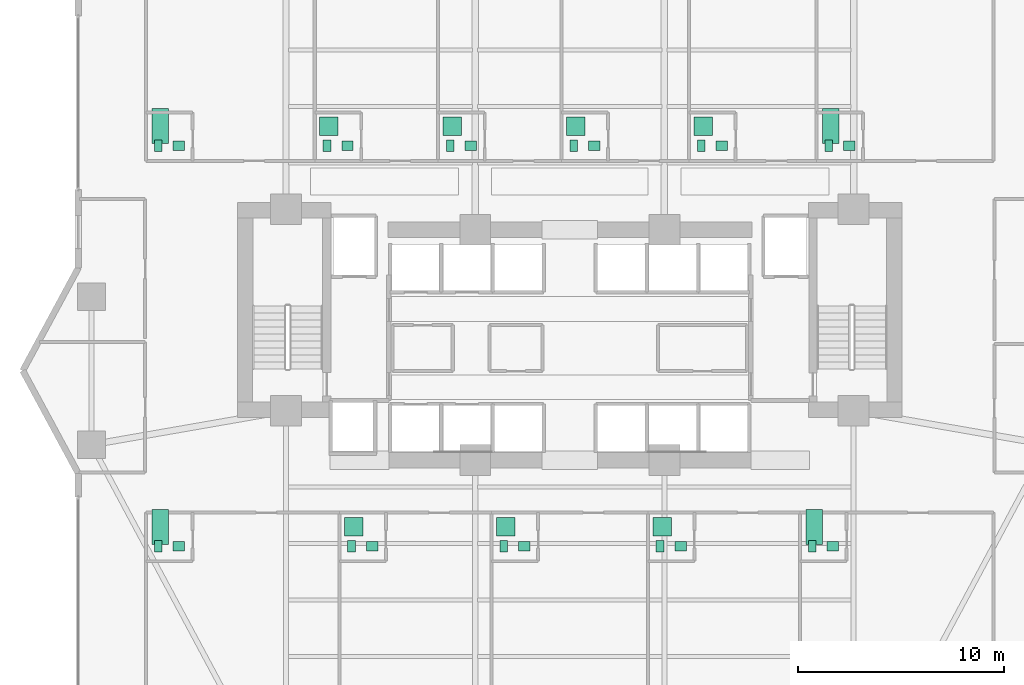
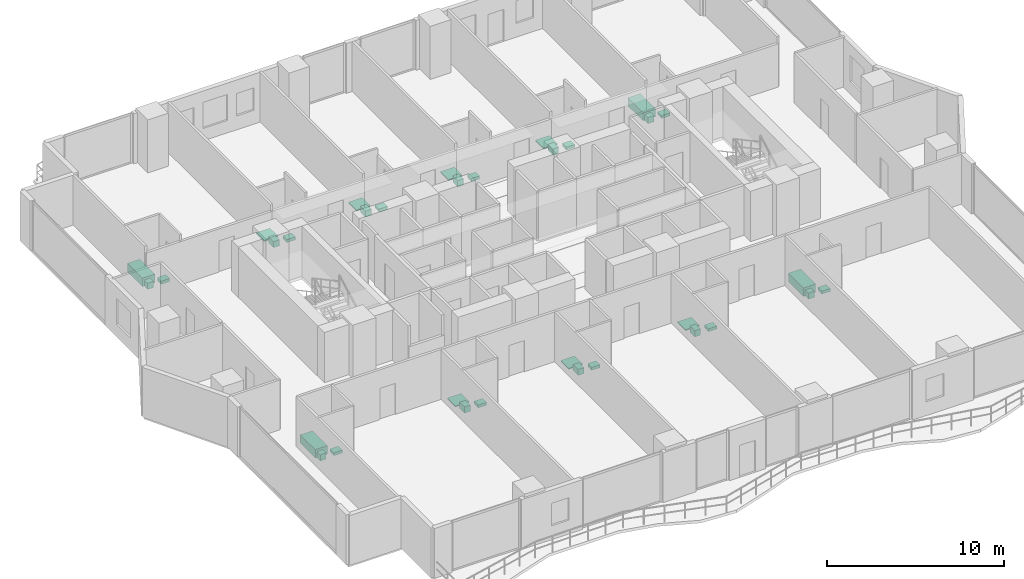
# One storey, part 27 of 27: 33 sanitary terminals.
"""IFC4 building model written with IfcOpenShell, lengths in metres."""

from ifc_helpers import new_model, si_unit, direction, frame, origin, origin_2d, place, context, subcontext, project, spatial, rectangle, extrude, material, type_object, element, save


model = new_model("IFC4")

# Units and contexts
model_context = context("Model", 3, precision=1e-05, world=origin(), true_north=direction((0.0, 1.0)))
body_context = subcontext(model_context, "Body", "Model", "MODEL_VIEW")
ifc_project = project(units=[si_unit("LENGTHUNIT", "METRE"), si_unit("AREAUNIT", "SQUARE_METRE"), si_unit("VOLUMEUNIT", "CUBIC_METRE"), si_unit("PLANEANGLEUNIT", "RADIAN"), si_unit("MASSUNIT", "GRAM", prefix="KILO")], contexts=[model_context])

# Site, building, storey
site_placement = place(None, origin())
site = spatial("IfcSite", under=ifc_project, at=site_placement, CompositionType="ELEMENT")
building_placement = place(site_placement, origin())
building = spatial("IfcBuilding", under=site, at=building_placement, Name="Zuhayl Quay Hotel", CompositionType="ELEMENT")
storey_placement = place(building_placement, frame((0.0, 0.0, 102.949951171875)))
storey = spatial("IfcBuildingStorey", under=building, at=storey_placement, Name="L25", CompositionType="ELEMENT", Elevation=102.949951171875)

# Sanitary terminals
ifc_material = material(Name="Vitreous Porcelain Sanitaryware")
sanitary_terminal_type_1 = type_object("IfcSanitaryTerminalType", Name="SAN_BASIN", PredefinedType="WASHHANDBASIN", material=ifc_material)
for number, where, z_axis, x_axis, name in (
    (1, (-19.010009765625, 17.43994140625, 0.0), (0.0, 0.0, 1.0), (1.0, 0.0, 0.0), "L25 Sanitary Fixture WASHHANDBASIN"),
    (2, (-10.81005859375, 17.43994140625, 0.0), (0.0, 0.0, 1.0), (1.0, 0.0, 0.0), "L25 Sanitary Fixture WASHHANDBASIN"),
    (3, (-4.81005859375, 17.43994140625, 0.0), (0.0, 0.0, 1.0), (1.0, 0.0, 0.0), "L25 Sanitary Fixture WASHHANDBASIN"),
    (4, (1.18994140625, 17.43994140625, 0.0), (0.0, 0.0, 1.0), (1.0, 0.0, 0.0), "L25 Sanitary Fixture WASHHANDBASIN"),
    (5, (7.389892578125, 17.43994140625, 0.0), (0.0, 0.0, 1.0), (1.0, 0.0, 0.0), "L25 Sanitary Fixture WASHHANDBASIN"),
    (6, (13.590087890625, 17.43994140625, 0.0), (0.0, 0.0, 1.0), (1.0, 0.0, 0.0), "L25 Sanitary Fixture WASHHANDBASIN"),
    (7, (-19.010009765625, -2.0400390625, 0.0), (0.0, 0.0, 1.0), (1.0, 0.0, 0.0), "L25 Sanitary Fixture WASHHANDBASIN"),
    (8, (-9.610107421875, -2.0400390625, 0.0), (0.0, 0.0, 1.0), (1.0, 0.0, 0.0), "L25 Sanitary Fixture WASHHANDBASIN"),
    (9, (-2.2099609375, -2.0400390625, 0.0), (0.0, 0.0, 1.0), (1.0, 0.0, 0.0), "L25 Sanitary Fixture WASHHANDBASIN"),
    (10, (5.389892578125, -2.0400390625, 0.0), (0.0, 0.0, 1.0), (1.0, 0.0, 0.0), "L25 Sanitary Fixture WASHHANDBASIN"),
    (11, (12.7900390625, -2.0400390625, 0.0), (0.0, 0.0, 1.0), (1.0, 0.0, 0.0), "L25 Sanitary Fixture WASHHANDBASIN"),
):
    element("IfcSanitaryTerminal", number, at=place(storey_placement, frame(where, z_axis=z_axis, x_axis=x_axis)), inside=storey, type_object=sanitary_terminal_type_1, Name=name, PredefinedType="WASHHANDBASIN", context=body_context, shape_type="SweptSolid", body=[
        extrude(rectangle(XDim=0.550048828125, YDim=0.449951171875, at=origin_2d()), origin(), (0.0, 0.0, 1.0), 0.199951171875),
    ])
sanitary_terminal_type_2 = type_object("IfcSanitaryTerminalType", Name="SAN_BATH", PredefinedType="BATH", material=ifc_material)
for number, where, z_axis, x_axis, name in (
    (12, (-19.909912109375, 18.389892578125, 0.0), (0.0, 0.0, 1.0), (1.0, 0.0, 0.0), "L25 Sanitary Fixture BATH"),
    (13, (12.68994140625, 18.389892578125, 0.0), (0.0, 0.0, 1.0), (1.0, 0.0, 0.0), "L25 Sanitary Fixture BATH"),
    (14, (-19.909912109375, -1.090087890625, 0.0), (0.0, 0.0, 1.0), (1.0, 0.0, 0.0), "L25 Sanitary Fixture BATH"),
    (15, (11.889892578125, -1.090087890625, 0.0), (0.0, 0.0, 1.0), (1.0, 0.0, 0.0), "L25 Sanitary Fixture BATH"),
):
    element("IfcSanitaryTerminal", number, at=place(storey_placement, frame(where, z_axis=z_axis, x_axis=x_axis)), inside=storey, type_object=sanitary_terminal_type_2, Name=name, PredefinedType="BATH", context=body_context, shape_type="SweptSolid", body=[
        extrude(rectangle(XDim=0.800048828125, YDim=1.699951171875, at=origin_2d()), origin(), (0.0, 0.0, 1.0), 0.580078125),
    ])
sanitary_terminal_type_3 = type_object("IfcSanitaryTerminalType", Name="SAN_SHOWER", PredefinedType="SHOWER", material=ifc_material)
for number, where, z_axis, x_axis, name in (
    (16, (-11.7099609375, 18.389892578125, 0.0), (0.0, 0.0, 1.0), (1.0, 0.0, 0.0), "L25 Sanitary Fixture SHOWER"),
    (17, (-5.7099609375, 18.389892578125, 0.0), (0.0, 0.0, 1.0), (1.0, 0.0, 0.0), "L25 Sanitary Fixture SHOWER"),
    (18, (0.2900390625, 18.389892578125, 0.0), (0.0, 0.0, 1.0), (1.0, 0.0, 0.0), "L25 Sanitary Fixture SHOWER"),
    (19, (6.489990234375, 18.389892578125, 0.0), (0.0, 0.0, 1.0), (1.0, 0.0, 0.0), "L25 Sanitary Fixture SHOWER"),
    (20, (-10.510009765625, -1.090087890625, 0.0), (0.0, 0.0, 1.0), (1.0, 0.0, 0.0), "L25 Sanitary Fixture SHOWER"),
    (21, (-3.110107421875, -1.090087890625, 0.0), (0.0, 0.0, 1.0), (1.0, 0.0, 0.0), "L25 Sanitary Fixture SHOWER"),
    (22, (4.489990234375, -1.090087890625, 0.0), (0.0, 0.0, 1.0), (1.0, 0.0, 0.0), "L25 Sanitary Fixture SHOWER"),
):
    element("IfcSanitaryTerminal", number, at=place(storey_placement, frame(where, z_axis=z_axis, x_axis=x_axis)), inside=storey, type_object=sanitary_terminal_type_3, Name=name, PredefinedType="SHOWER", context=body_context, shape_type="SweptSolid", body=[
        extrude(rectangle(XDim=0.89990234375, YDim=0.89990234375, at=origin_2d()), origin(), (0.0, 0.0, 1.0), 0.080078125),
    ])
sanitary_terminal_type_4 = type_object("IfcSanitaryTerminalType", Name="SAN_WC", PredefinedType="TOILETPAN", material=ifc_material)
for number, where, z_axis, x_axis, name in (
    (23, (-20.010009765625, 17.43994140625, 0.0), (0.0, 0.0, 1.0), (1.0, 0.0, 0.0), "L25 Sanitary Fixture TOILETPAN"),
    (24, (-11.81005859375, 17.43994140625, 0.0), (0.0, 0.0, 1.0), (1.0, 0.0, 0.0), "L25 Sanitary Fixture TOILETPAN"),
    (25, (-5.81005859375, 17.43994140625, 0.0), (0.0, 0.0, 1.0), (1.0, 0.0, 0.0), "L25 Sanitary Fixture TOILETPAN"),
    (26, (0.18994140625, 17.43994140625, 0.0), (0.0, 0.0, 1.0), (1.0, 0.0, 0.0), "L25 Sanitary Fixture TOILETPAN"),
    (27, (6.389892578125, 17.43994140625, 0.0), (0.0, 0.0, 1.0), (1.0, 0.0, 0.0), "L25 Sanitary Fixture TOILETPAN"),
    (28, (12.590087890625, 17.43994140625, 0.0), (0.0, 0.0, 1.0), (1.0, 0.0, 0.0), "L25 Sanitary Fixture TOILETPAN"),
    (29, (-20.010009765625, -2.0400390625, 0.0), (0.0, 0.0, 1.0), (1.0, 0.0, 0.0), "L25 Sanitary Fixture TOILETPAN"),
    (30, (-10.610107421875, -2.0400390625, 0.0), (0.0, 0.0, 1.0), (1.0, 0.0, 0.0), "L25 Sanitary Fixture TOILETPAN"),
    (31, (-3.2099609375, -2.0400390625, 0.0), (0.0, 0.0, 1.0), (1.0, 0.0, 0.0), "L25 Sanitary Fixture TOILETPAN"),
    (32, (4.389892578125, -2.0400390625, 0.0), (0.0, 0.0, 1.0), (1.0, 0.0, 0.0), "L25 Sanitary Fixture TOILETPAN"),
    (33, (11.7900390625, -2.0400390625, 0.0), (0.0, 0.0, 1.0), (1.0, 0.0, 0.0), "L25 Sanitary Fixture TOILETPAN"),
):
    element("IfcSanitaryTerminal", number, at=place(storey_placement, frame(where, z_axis=z_axis, x_axis=x_axis)), inside=storey, type_object=sanitary_terminal_type_4, Name=name, PredefinedType="TOILETPAN", context=body_context, shape_type="SweptSolid", body=[
        extrude(rectangle(XDim=0.3798828125, YDim=0.56005859375, at=origin_2d()), origin(), (0.0, 0.0, 1.0), 0.419921875),
    ])

save(model, "model.ifc")
